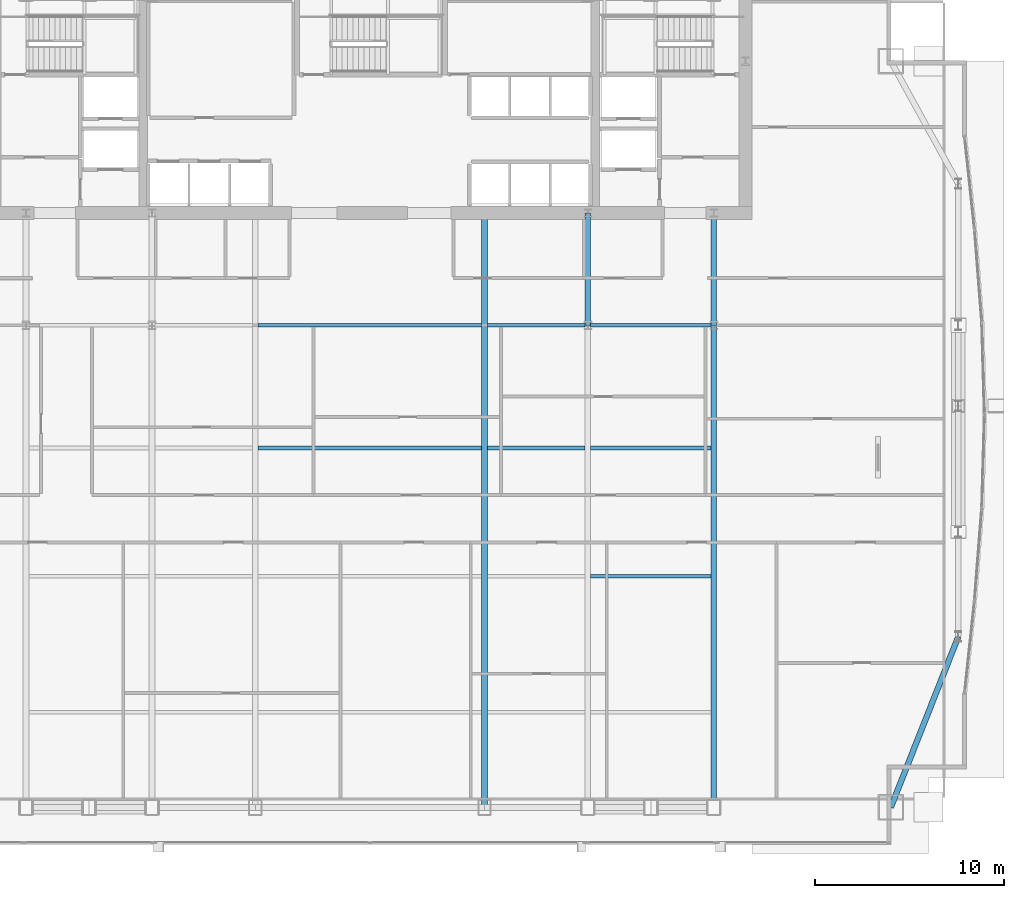
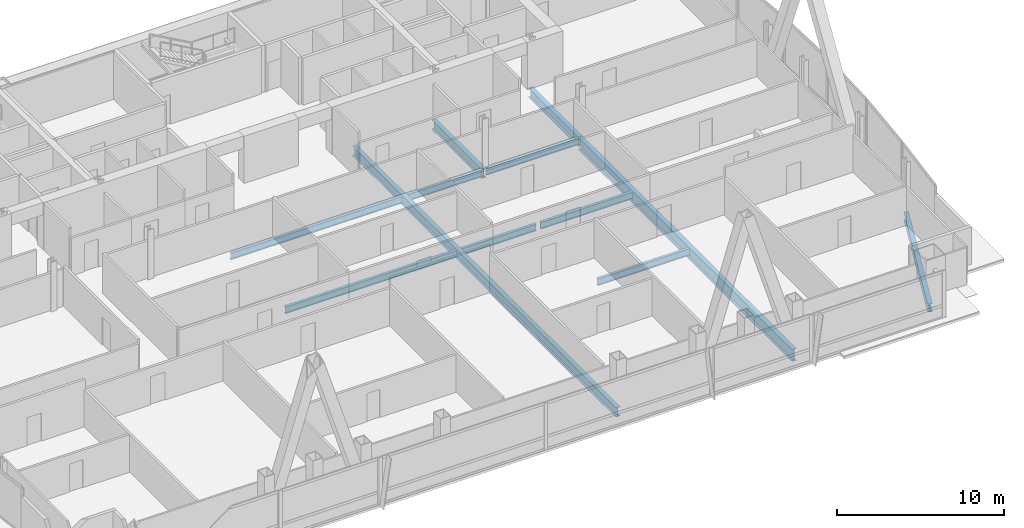
# One storey, part 15 of 30: 12 beams.
"""IFC4 building model written with IfcOpenShell, lengths in metres."""

from ifc_helpers import new_model, si_unit, direction, frame, origin, origin_2d, place, context, subcontext, project, spatial, i_section, extrude, material, material_profile, profile_set, type_object, element, save


model = new_model("IFC4")

# Units and contexts
model_context = context("Model", 3, precision=1e-05, world=origin(), true_north=direction((0.0, 1.0)))
body_context = subcontext(model_context, "Body", "Model", "MODEL_VIEW")
ifc_project = project(units=[si_unit("LENGTHUNIT", "METRE"), si_unit("AREAUNIT", "SQUARE_METRE"), si_unit("VOLUMEUNIT", "CUBIC_METRE"), si_unit("PLANEANGLEUNIT", "RADIAN"), si_unit("MASSUNIT", "GRAM", prefix="KILO")], contexts=[model_context])

# Site, building, storey
site_placement = place(None, origin())
site = spatial("IfcSite", under=ifc_project, at=site_placement, CompositionType="ELEMENT")
building_placement = place(site_placement, origin())
building = spatial("IfcBuilding", under=site, at=building_placement, Name="Khoronbel Lancet Exchange", CompositionType="ELEMENT")
storey_placement = place(building_placement, frame((0.0, 0.0, 136.199951171875)))
storey = spatial("IfcBuildingStorey", under=building, at=storey_placement, Name="L33", CompositionType="ELEMENT", Elevation=136.199951171875)

# Beams
ifc_material = material(Name="Steel S355", Category="steel")
ifc_material_profile_1 = material_profile(ifc_material, i_section(OverallWidth=0.300048828125, OverallDepth=0.89990234375, WebThickness=0.0185546875, FlangeThickness=0.034912109375, at=origin_2d()), Name="HEB 900")
ifc_profile_set_1 = profile_set([ifc_material_profile_1], Name="Steel S355")
beam_type_1 = type_object("IfcBeamType", Name="BM-BG1", PredefinedType="BEAM", material=ifc_profile_set_1)
beam_1_placement = place(storey_placement, frame((54.675048828125, 10.14990234375, -0.60986328125), z_axis=(0.0, 1.0, 0.0), x_axis=(-1.0, 0.0, 0.0)))
element("IfcBeam", 1, at=beam_1_placement, inside=storey, type_object=beam_type_1, Name="Level L33 south primary girder GS6", PredefinedType="BEAM", context=body_context, shape_type="SweptSolid", body=[
    extrude(i_section(OverallWidth=0.300048828125, OverallDepth=0.89990234375, WebThickness=0.0185546875, FlangeThickness=0.034912109375, at=origin_2d()), origin(), (0.0, 0.0, 1.0), 25.550048828125),
])
ifc_material_profile_2 = material_profile(ifc_material, i_section(OverallWidth=0.300048828125, OverallDepth=0.699951171875, WebThickness=0.01708984375, FlangeThickness=0.031982421875, at=origin_2d()), Name="HEB 700")
ifc_profile_set_2 = profile_set([ifc_material_profile_2], Name="Steel S355")
beam_type_2 = type_object("IfcBeamType", Name="BM-BG3", PredefinedType="BEAM", material=ifc_profile_set_2)
beam_2_placement = place(storey_placement, frame((42.52490234375, 10.14990234375, -0.510009765625), z_axis=(0.0, 1.0, 0.0), x_axis=(-1.0, 0.0, 0.0)))
element("IfcBeam", 2, at=beam_2_placement, inside=storey, type_object=beam_type_2, Name="Level L33 primary floor girder G4", PredefinedType="BEAM", context=body_context, shape_type="SweptSolid", body=[
    extrude(i_section(OverallWidth=0.300048828125, OverallDepth=0.699951171875, WebThickness=0.01708984375, FlangeThickness=0.031982421875, at=origin_2d()), origin(), (0.0, 0.0, 1.0), 31.5),
])
for number, where, z_axis, x_axis, name in (
    (3, (48.0, 35.699951171875, -0.510009765625), (0.0, 1.0, 0.0), (-1.0, 0.0, 0.0), "Level L33 spine tie girder GN5"),
    (4, (54.675048828125, 35.699951171875, -0.510009765625), (0.0, 1.0, 0.0), (-1.0, 0.0, 0.0), "Level L33 spine tie girder GN6"),
):
    element("IfcBeam", number, at=place(storey_placement, frame(where, z_axis=z_axis, x_axis=x_axis)), inside=storey, type_object=beam_type_2, Name=name, PredefinedType="BEAM", context=body_context, shape_type="SweptSolid", body=[
        extrude(i_section(OverallWidth=0.300048828125, OverallDepth=0.699951171875, WebThickness=0.01708984375, FlangeThickness=0.031982421875, at=origin_2d()), origin(), (0.0, 0.0, 1.0), 5.949951171875),
    ])
ifc_material_profile_3 = material_profile(ifc_material, i_section(OverallWidth=0.199951171875, OverallDepth=0.5, WebThickness=0.01025390625, FlangeThickness=0.01611328125, at=origin_2d()), Name="IPE 500")
ifc_profile_set_3 = profile_set([ifc_material_profile_3], Name="Steel S355")
beam_type_3 = type_object("IfcBeamType", Name="BM-BJ3", PredefinedType="JOIST", material=ifc_profile_set_3)
beam_3_placement = place(storey_placement, frame((48.14990234375, 22.39990234375, -0.409912109375), z_axis=(1.0, 0.0, 0.0), x_axis=(0.0, 1.0, 0.0)))
element("IfcBeam", 5, at=beam_3_placement, inside=storey, type_object=beam_type_3, Name="Level L33 secondary composite joist J10", PredefinedType="JOIST", context=body_context, shape_type="SweptSolid", body=[
    extrude(i_section(OverallWidth=0.199951171875, OverallDepth=0.5, WebThickness=0.01025390625, FlangeThickness=0.01611328125, at=origin_2d()), origin(), (0.0, 0.0, 1.0), 6.375),
])
beam_4_placement = place(storey_placement, frame((30.52490234375, 29.199951171875, -0.409912109375), z_axis=(1.0, 0.0, 0.0), x_axis=(0.0, 1.0, 0.0)))
element("IfcBeam", 6, at=beam_4_placement, inside=storey, type_object=beam_type_3, Name="Level L33 secondary composite joist J13", PredefinedType="JOIST", context=body_context, shape_type="SweptSolid", body=[
    extrude(i_section(OverallWidth=0.199951171875, OverallDepth=0.5, WebThickness=0.01025390625, FlangeThickness=0.01611328125, at=origin_2d()), origin(), (0.0, 0.0, 1.0), 11.85009765625),
])
beam_5_placement = place(storey_placement, frame((42.675048828125, 29.199951171875, -0.409912109375), z_axis=(1.0, 0.0, 0.0), x_axis=(0.0, 1.0, 0.0)))
element("IfcBeam", 7, at=beam_5_placement, inside=storey, type_object=beam_type_3, Name="Level L33 secondary composite joist J14", PredefinedType="JOIST", context=body_context, shape_type="SweptSolid", body=[
    extrude(i_section(OverallWidth=0.199951171875, OverallDepth=0.5, WebThickness=0.01025390625, FlangeThickness=0.01611328125, at=origin_2d()), origin(), (0.0, 0.0, 1.0), 5.175048828125),
])
beam_6_placement = place(storey_placement, frame((48.14990234375, 29.199951171875, -0.409912109375), z_axis=(1.0, 0.0, 0.0), x_axis=(0.0, 1.0, 0.0)))
element("IfcBeam", 8, at=beam_6_placement, inside=storey, type_object=beam_type_3, Name="Level L33 secondary composite joist J15", PredefinedType="JOIST", context=body_context, shape_type="SweptSolid", body=[
    extrude(i_section(OverallWidth=0.199951171875, OverallDepth=0.5, WebThickness=0.01025390625, FlangeThickness=0.01611328125, at=origin_2d()), origin(), (0.0, 0.0, 1.0), 6.375),
])
beam_7_placement = place(storey_placement, frame((30.52490234375, 35.699951171875, -0.409912109375), z_axis=(1.0, 0.0, 0.0), x_axis=(0.0, 1.0, 0.0)))
element("IfcBeam", 9, at=beam_7_placement, inside=storey, type_object=beam_type_3, Name="Level L33 secondary composite joist J18", PredefinedType="JOIST", context=body_context, shape_type="SweptSolid", body=[
    extrude(i_section(OverallWidth=0.199951171875, OverallDepth=0.5, WebThickness=0.01025390625, FlangeThickness=0.01611328125, at=origin_2d()), origin(), (0.0, 0.0, 1.0), 11.85009765625),
])
beam_8_placement = place(storey_placement, frame((42.675048828125, 35.699951171875, -0.409912109375), z_axis=(1.0, 0.0, 0.0), x_axis=(0.0, 1.0, 0.0)))
element("IfcBeam", 10, at=beam_8_placement, inside=storey, type_object=beam_type_3, Name="Level L33 secondary composite joist J19", PredefinedType="JOIST", context=body_context, shape_type="SweptSolid", body=[
    extrude(i_section(OverallWidth=0.199951171875, OverallDepth=0.5, WebThickness=0.01025390625, FlangeThickness=0.01611328125, at=origin_2d()), origin(), (0.0, 0.0, 1.0), 5.175048828125),
])
beam_9_placement = place(storey_placement, frame((48.14990234375, 35.699951171875, -0.409912109375), z_axis=(1.0, 0.0, 0.0), x_axis=(0.0, 1.0, 0.0)))
element("IfcBeam", 11, at=beam_9_placement, inside=storey, type_object=beam_type_3, Name="Level L33 secondary composite joist J20", PredefinedType="JOIST", context=body_context, shape_type="SweptSolid", body=[
    extrude(i_section(OverallWidth=0.199951171875, OverallDepth=0.5, WebThickness=0.01025390625, FlangeThickness=0.01611328125, at=origin_2d()), origin(), (0.0, 0.0, 1.0), 6.375),
])
ifc_material_profile_4 = material_profile(ifc_material, i_section(OverallWidth=0.300048828125, OverallDepth=0.60009765625, WebThickness=0.015380859375, FlangeThickness=0.030029296875, at=origin_2d()), Name="HEB 600")
ifc_profile_set_4 = profile_set([ifc_material_profile_4], Name="Steel S355")
beam_type_4 = type_object("IfcBeamType", Name="BM-BSP2", PredefinedType="SPANDREL", material=ifc_profile_set_4)
beam_10_placement = place(storey_placement, frame((64.050048828125, 10.14990234375, -0.4599609375), z_axis=(0.367828403855, 0.929893684954, 0.0), x_axis=(-0.929893684954, 0.367828403855, 0.0)))
element("IfcBeam", 12, at=beam_10_placement, inside=storey, type_object=beam_type_4, Name="Level L33 perimeter spandrel beam SP08", PredefinedType="SPANDREL", context=body_context, shape_type="SweptSolid", body=[
    extrude(i_section(OverallWidth=0.300048828125, OverallDepth=0.60009765625, WebThickness=0.015380859375, FlangeThickness=0.030029296875, at=origin_2d()), origin(), (0.0, 0.0, 1.0), 9.732421875),
])

save(model, "model.ifc")
